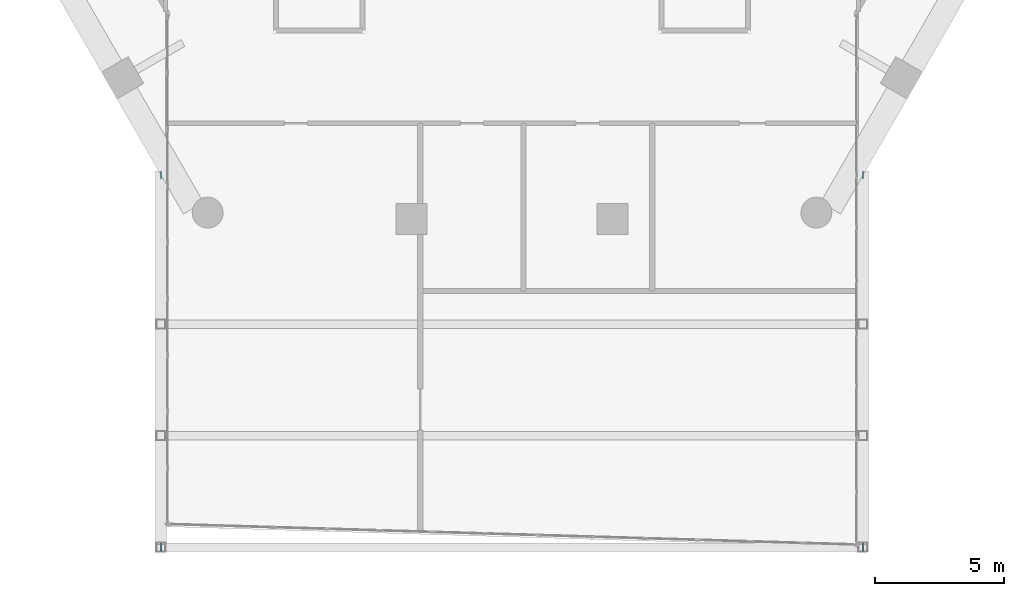
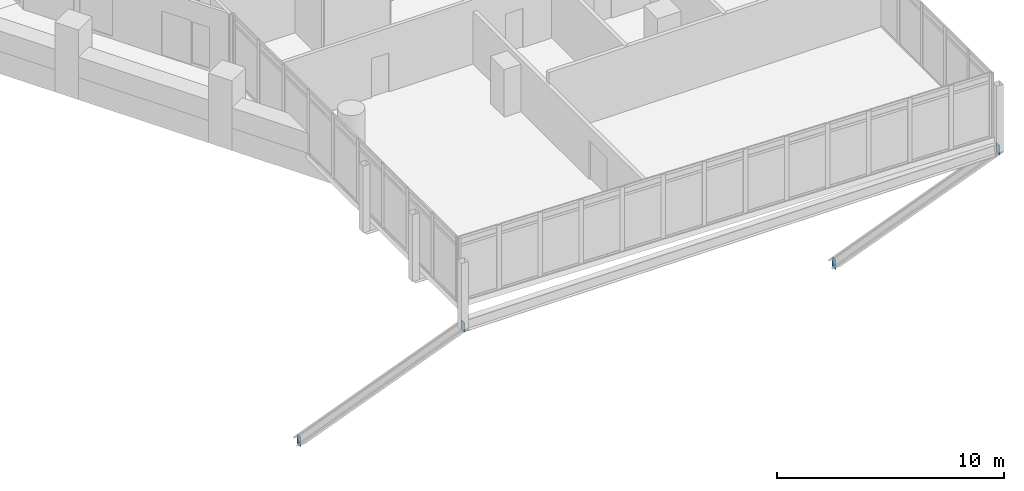
# One storey, part 35 of 37: 4 discrete accessories.
"""IFC4 building model written with IfcOpenShell, lengths in metres."""

from ifc_helpers import new_model, si_unit, direction, frame, origin, origin_2d, place, context, subcontext, project, spatial, rectangle, extrude, material, layer, layer_set, type_object, element, save


model = new_model("IFC4")

# Units and contexts
model_context = context("Model", 3, precision=1e-05, world=origin(), true_north=direction((0.0, 1.0)))
body_context = subcontext(model_context, "Body", "Model", "MODEL_VIEW")
ifc_project = project(units=[si_unit("LENGTHUNIT", "METRE"), si_unit("AREAUNIT", "SQUARE_METRE"), si_unit("VOLUMEUNIT", "CUBIC_METRE"), si_unit("PLANEANGLEUNIT", "RADIAN"), si_unit("MASSUNIT", "GRAM", prefix="KILO")], contexts=[model_context])

# Site, building, storey
site_placement = place(None, origin())
site = spatial("IfcSite", under=ifc_project, at=site_placement, CompositionType="ELEMENT")
building_placement = place(site_placement, origin())
building = spatial("IfcBuilding", under=site, at=building_placement, Name="Ostrander Bayou Hotel Tower", CompositionType="ELEMENT")
storey_placement = place(building_placement, frame((0.0, 0.0, 131.0)))
storey = spatial("IfcBuildingStorey", under=building, at=storey_placement, Name="L32", CompositionType="ELEMENT", Elevation=131.0)

# Discrete accessories
ifc_material = material(Name="Steel ASTM A572 Gr 50", Category="steel")
ifc_layer = layer(ifc_material, 0.030029296875)
ifc_layer_set = layer_set([ifc_layer], Name="GP1 gusset plate 30 mm")
discrete_accessory_type = type_object("IfcDiscreteAccessoryType", Name="GP1 gusset plate 30 mm", PredefinedType="BRACKET", material=ifc_layer_set)
for number, where, z_axis, x_axis, name in (
    (1, (-13.6201171875, -31.449951171875, -0.921875), (0.0, 0.0, 1.0), (0.0, 1.0, 0.0), "GP1 gusset plate bar 157"),
    (2, (-13.6201171875, -17.009521484375, -15.85009765625), (0.0, 0.0, 1.0), (0.0, 1.0, 0.0), "GP1 gusset plate bar 158"),
    (3, (13.6201171875, -31.449951171875, -0.921875), (0.0, 0.0, 1.0), (0.0, 1.0, 0.0), "GP1 gusset plate bar 159"),
    (4, (13.6201171875, -17.009521484375, -15.85009765625), (0.0, 0.0, 1.0), (0.0, 1.0, 0.0), "GP1 gusset plate bar 160"),
):
    element("IfcDiscreteAccessory", number, at=place(storey_placement, frame(where, z_axis=z_axis, x_axis=x_axis)), inside=storey, type_object=discrete_accessory_type, Name=name, PredefinedType="BRACKET", context=body_context, shape_type="SweptSolid", body=[
        extrude(rectangle(XDim=0.300048828125, YDim=0.030029296875, at=origin_2d()), origin(), (0.0, 0.0, 1.0), 0.5),
    ])

save(model, "model.ifc")
